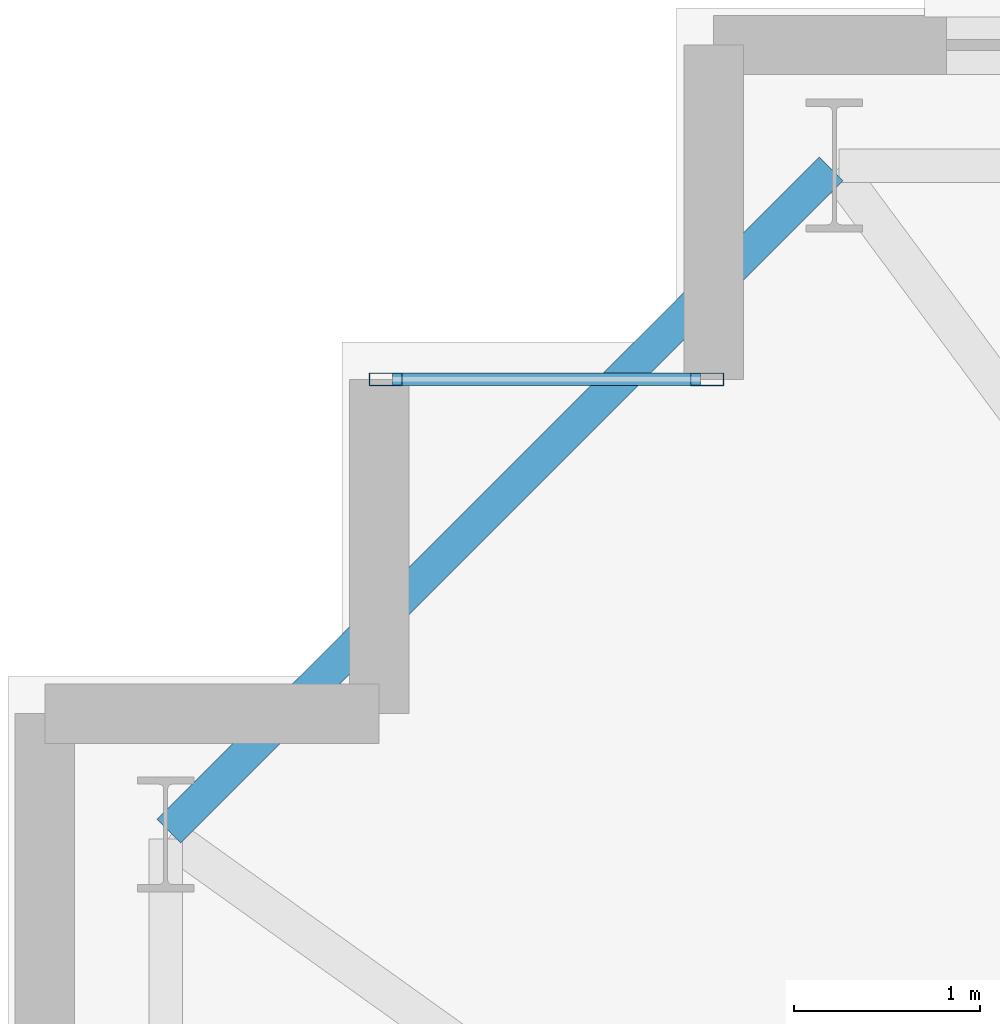
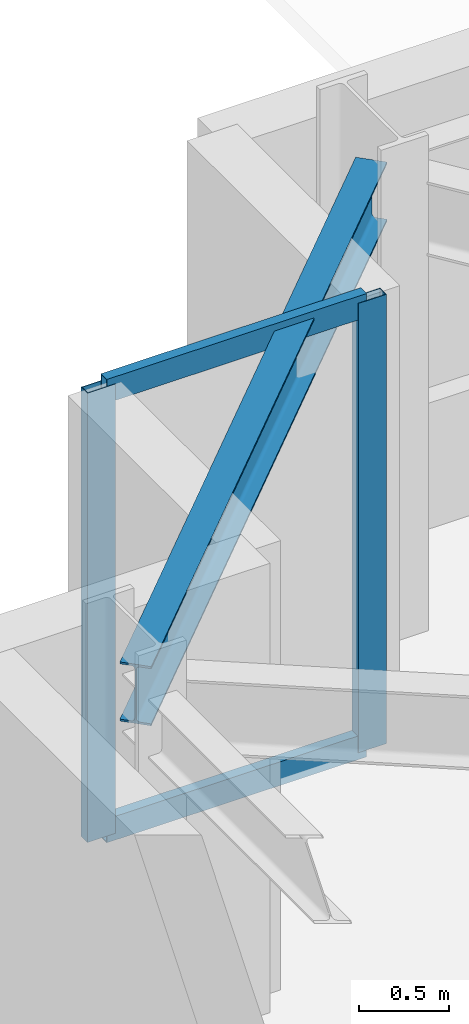
# One storey, part 8 of 20: 4 members, 1 beam, 1 element without a shape of its own.
"""IFC4 building model written with IfcOpenShell, lengths in metres."""

from ifc_helpers import new_model, si_unit, direction, frame, origin, origin_2d, place, context, subcontext, project, spatial, hollow_rectangle, i_section, extrude, material, layer, layer_set, material_profile, profile_set, type_object, element, aggregate, save


model = new_model("IFC4")

# Units and contexts
model_context = context("Model", 3, precision=1e-05, world=origin(), true_north=direction((0.0, 1.0)))
body_context = subcontext(model_context, "Body", "Model", "MODEL_VIEW")
ifc_project = project(units=[si_unit("LENGTHUNIT", "METRE"), si_unit("AREAUNIT", "SQUARE_METRE"), si_unit("VOLUMEUNIT", "CUBIC_METRE"), si_unit("PLANEANGLEUNIT", "RADIAN"), si_unit("MASSUNIT", "GRAM", prefix="KILO")], contexts=[model_context])

# Site, building, storey
site_placement = place(None, origin())
site = spatial("IfcSite", under=ifc_project, at=site_placement, CompositionType="ELEMENT")
building_placement = place(site_placement, origin())
building = spatial("IfcBuilding", under=site, at=building_placement, Name="Qobustan Lattice House", CompositionType="ELEMENT")
storey_placement = place(building_placement, frame((0.0, 0.0, 67.199951171875)))
storey = spatial("IfcBuildingStorey", under=building, at=storey_placement, Name="L18", CompositionType="ELEMENT", Elevation=67.199951171875)

# Beam
ifc_material_1 = material(Name="Steel S355", Category="steel")
ifc_material_profile_1 = material_profile(ifc_material_1, i_section(OverallWidth=0.179931640625, OverallDepth=0.39990234375, WebThickness=0.008544921875, FlangeThickness=0.013427734375, FilletRadius=0.02099609375, at=origin_2d()), Name="IPE400")
ifc_profile_set_1 = profile_set([ifc_material_profile_1], Name="Steel S355")
beam_type = type_object("IfcBeamType", Name="BM-SPD-IPE400", PredefinedType="SPANDREL", material=ifc_profile_set_1)
beam_placement = place(storey_placement, frame((-28.567626953125, 18.732421875, 2.8349609375), z_axis=(-0.707106781187, -0.707106781187, 0.0), x_axis=(0.707106781187, -0.707106781187, 0.0)))
element("IfcBeam", 1, at=beam_placement, inside=storey, type_object=beam_type, Name="L18 perimeter spandrel N7-W1", PredefinedType="SPANDREL", context=body_context, shape_type="SweptSolid", body=[
    extrude(i_section(OverallWidth=0.179931640625, OverallDepth=0.39990234375, WebThickness=0.008544921875, FlangeThickness=0.013427734375, FilletRadius=0.02099609375, at=origin_2d()), origin(), (0.0, 0.0, 1.0), 5.041259765625),
])

# Curtain wall, members
ifc_material_2 = material(Name="Anodised aluminium and low-E glazing", Category="aluminium")
ifc_layer = layer(ifc_material_2, 0.219970703125)
ifc_layer_set = layer_set([ifc_layer], Name="Anodised aluminium and low-E glazing")
curtain_wall_type = type_object("IfcCurtainWallType", Name="CW-FAC-01", PredefinedType="USERDEFINED", material=ifc_layer_set)
curtain_wall_placement = place(storey_placement, origin())
curtain_wall = element("IfcCurtainWall", 2, at=curtain_wall_placement, inside=storey, type_object=curtain_wall_type, Name="L18 serrated corner faceted glazing 8", ObjectType="CURTAIN WALL", PredefinedType="USERDEFINED")
ifc_material_3 = material(Name="Anodised aluminium EN AW-6063 T6", Category="aluminium")
ifc_material_profile_2 = material_profile(ifc_material_3, hollow_rectangle(XDim=0.070068359375, YDim=0.179931640625, WallThickness=0.00439453125, at=origin_2d()), Name="CWM-180x70")
ifc_profile_set_2 = profile_set([ifc_material_profile_2], Name="Anodised aluminium EN AW-6063 T6")
member_type_1 = type_object("IfcMemberType", Name="CWM-STD-180", PredefinedType="MULLION", material=ifc_profile_set_2)
member_1_placement = place(storey_placement, frame((-30.965087890625, 17.60009765625, 0.0), z_axis=(0.0, 0.0, 1.0), x_axis=(0.0, 1.0, 0.0)))
member_1 = element("IfcMember", 3, at=member_1_placement, type_object=member_type_1, Name="CW-F1 mullion 1", PredefinedType="MULLION", context=body_context, shape_type="SweptSolid", body=[
    extrude(hollow_rectangle(XDim=0.070068359375, YDim=0.179931640625, WallThickness=0.00439453125, at=origin_2d()), origin(), (0.0, 0.0, 1.0), 3.03515625),
])
member_2_placement = place(storey_placement, frame((-29.235107421875, 17.60009765625, 0.0), z_axis=(0.0, 0.0, 1.0), x_axis=(0.0, 1.0, 0.0)))
member_2 = element("IfcMember", 4, at=member_2_placement, type_object=member_type_1, Name="CW-F1 mullion 2", PredefinedType="MULLION", context=body_context, shape_type="SweptSolid", body=[
    extrude(hollow_rectangle(XDim=0.070068359375, YDim=0.179931640625, WallThickness=0.00439453125, at=origin_2d()), origin(), (0.0, 0.0, 1.0), 3.03515625),
])
ifc_material_4 = material(Name="Anodised aluminium EN AW-6063 T6", Category="aluminium")
ifc_material_profile_3 = material_profile(ifc_material_4, hollow_rectangle(XDim=0.06494140625, YDim=0.159912109375, WallThickness=0.00390625, at=origin_2d()), Name="CWT-160x65")
ifc_profile_set_3 = profile_set([ifc_material_profile_3], Name="Anodised aluminium EN AW-6063 T6")
member_type_2 = type_object("IfcMemberType", Name="CWT-HOR-160", PredefinedType="USERDEFINED", material=ifc_profile_set_3)
member_3_placement = place(storey_placement, frame((-30.929931640625, 17.60009765625, 0.032470703125), z_axis=(1.0, 0.0, 0.0), x_axis=(0.0, 1.0, 0.0)))
member_3 = element("IfcMember", 5, at=member_3_placement, type_object=member_type_2, Name="CW-F1 transom 1.1", ObjectType="TRANSOM", PredefinedType="USERDEFINED", context=body_context, shape_type="SweptSolid", body=[
    extrude(hollow_rectangle(XDim=0.06494140625, YDim=0.159912109375, WallThickness=0.00390625, at=origin_2d()), origin(), (0.0, 0.0, 1.0), 1.659912109375),
])
member_4_placement = place(storey_placement, frame((-30.929931640625, 17.60009765625, 3.00244140625), z_axis=(1.0, 0.0, 0.0), x_axis=(0.0, 1.0, 0.0)))
member_4 = element("IfcMember", 6, at=member_4_placement, type_object=member_type_2, Name="CW-F1 transom 1.2", ObjectType="TRANSOM", PredefinedType="USERDEFINED", context=body_context, shape_type="SweptSolid", body=[
    extrude(hollow_rectangle(XDim=0.06494140625, YDim=0.159912109375, WallThickness=0.00390625, at=origin_2d()), origin(), (0.0, 0.0, 1.0), 1.659912109375),
])
aggregate(curtain_wall, [member_1, member_2, member_3, member_4])

save(model, "model.ifc")
